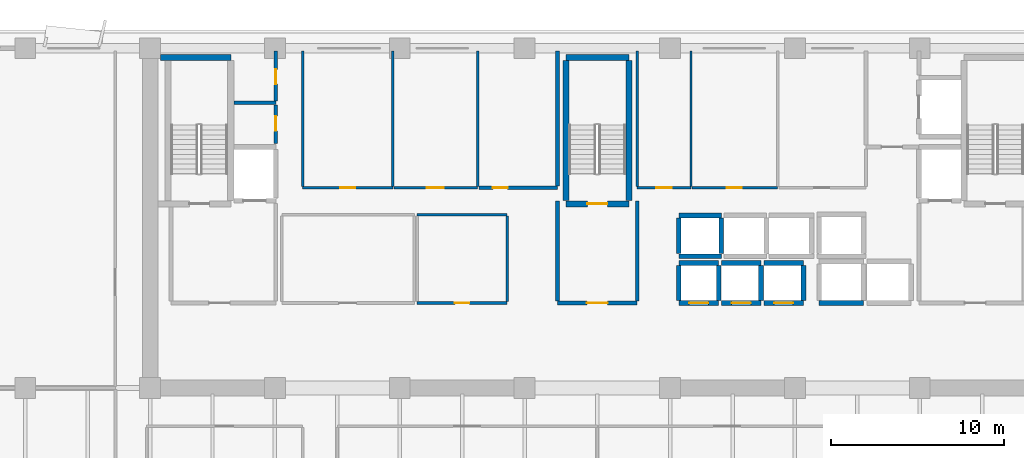
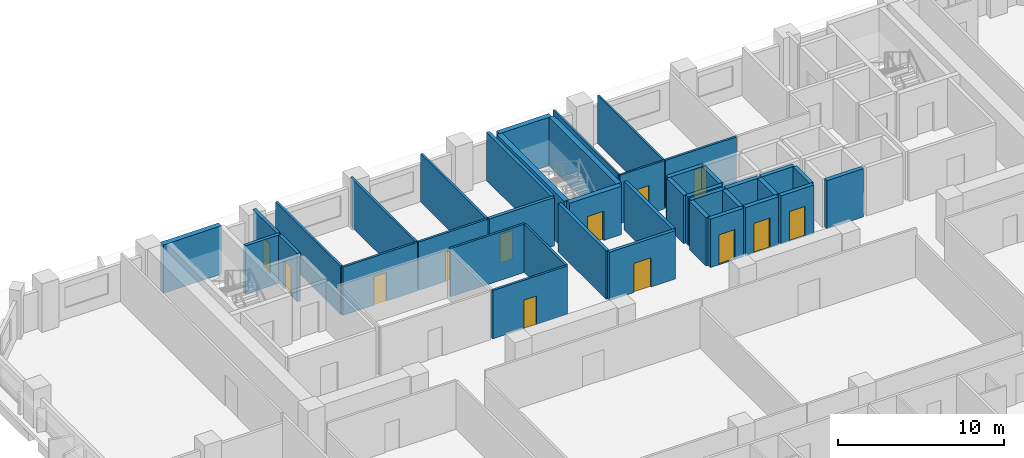
# One storey, part 7 of 15: 40 walls, 13 doors, 13 openings.
"""IFC4 building model written with IfcOpenShell, lengths in metres."""

from ifc_helpers import new_model, si_unit, direction, frame, frame_2d, origin, place, context, subcontext, project, spatial, rectangle, extrude, material, layer, layer_set, type_object, element, fill, save


model = new_model("IFC4")

# Units and contexts
model_context = context("Model", 3, precision=1e-05, world=origin(), true_north=direction((0.0, 1.0)))
body_context = subcontext(model_context, "Body", "Model", "MODEL_VIEW")
ifc_project = project(units=[si_unit("LENGTHUNIT", "METRE"), si_unit("AREAUNIT", "SQUARE_METRE"), si_unit("VOLUMEUNIT", "CUBIC_METRE"), si_unit("PLANEANGLEUNIT", "RADIAN"), si_unit("MASSUNIT", "GRAM", prefix="KILO")], contexts=[model_context])

# Site, building, storey
site_placement = place(None, origin())
site = spatial("IfcSite", under=ifc_project, at=site_placement, CompositionType="ELEMENT")
building_placement = place(site_placement, origin())
building = spatial("IfcBuilding", under=site, at=building_placement, Name="Kaelvorn Grand Hotel", CompositionType="ELEMENT")
storey_placement = place(building_placement, frame((0.0, 0.0, 158.14990234375)))
storey = spatial("IfcBuildingStorey", under=building, at=storey_placement, Name="L38", CompositionType="ELEMENT", Elevation=158.14990234375)

# Wall, opening, door
ifc_material_1 = material(Name="Moisture-Resistant Tile & Stud Board")
ifc_layer_1 = layer(ifc_material_1, 0.125)
ifc_layer_set_1 = layer_set([ifc_layer_1], Name="Moisture-Resistant Tile & Stud Board")
wall_type_1 = type_object("IfcWallType", Name="WL-PART-125-WET", PredefinedType="PARTITIONING", material=ifc_layer_set_1)
wall_1_placement = place(storey_placement, frame((44.300048828125, 40.949951171875, 0.0), z_axis=(0.0, 0.0, 1.0), x_axis=(1.0, 0.0, 0.0)))
wall_1 = element("IfcWall", 1, at=wall_1_placement, inside=storey, type_object=wall_type_1, Name="L38 Accessible WC S Partition", PredefinedType="PARTITIONING", context=body_context, shape_type="SweptSolid", body=[
    extrude(rectangle(XDim=3.099853515625, YDim=0.125, at=frame_2d((1.5498046875, 0.0))), origin(), (0.0, 0.0, 1.0), 3.56005859375),
])
opening_1_placement = place(wall_1_placement, frame((1.10009765625, 0.0, 0.0)))
opening_1 = element("IfcOpeningElement", 2, at=opening_1_placement, cuts=wall_1, Name="Opening DI4", PredefinedType="OPENING", context=body_context, shape_type="SweptSolid", body=[
    extrude(rectangle(XDim=0.89990234375, YDim=2.10009765625, at=frame_2d((0.449951171875, 1.050048828125))), frame((0.0, 0.072509765625, 0.0), z_axis=(0.0, -1.0, 0.0), x_axis=(1.0, 0.0, 0.0)), (0.0, 0.0, 1.0), 0.14501953125),
])
ifc_material_2 = material(Name="Timber Veneer Leaf", Category="wood")
door_type_1 = type_object("IfcDoorType", Name="DR-INT-BATH-900x2100", OperationType="NOTDEFINED", PredefinedType="DOOR", material=ifc_material_2)
door_1_placement = place(opening_1_placement, origin())
door_1 = element("IfcDoor", 3, at=door_1_placement, inside=storey, type_object=door_type_1, Name="L38 Accessible WC Door", OperationType="SINGLE_SWING_LEFT", OverallHeight=2.10009765625, OverallWidth=0.89990234375, PredefinedType="DOOR", context=body_context, shape_type="SweptSolid", body=[
    extrude(rectangle(XDim=0.89990234375, YDim=2.10009765625, at=frame_2d((0.449951171875, 1.050048828125))), frame((0.0, 0.02490234375, 0.0), z_axis=(0.0, -1.0, 0.0), x_axis=(1.0, 0.0, 0.0)), (0.0, 0.0, 1.0), 0.050048828125),
])
fill(opening_1, door_1)

# Walls
for number, where, z_axis, x_axis, name in (
    (4, (44.300048828125, 41.017578125, 0.0), (0.0, 0.0, 1.0), (0.0, 1.0, 0.0), "L38 Accessible WC W Partition"),
    (5, (47.39990234375, 41.017578125, 0.0), (0.0, 0.0, 1.0), (0.0, 1.0, 0.0), "L38 Accessible WC E Partition"),
):
    element("IfcWall", number, at=place(storey_placement, frame(where, z_axis=z_axis, x_axis=x_axis)), inside=storey, type_object=wall_type_1, Name=name, PredefinedType="PARTITIONING", context=body_context, shape_type="SweptSolid", body=[
        extrude(rectangle(XDim=7.83251953125, YDim=0.125, at=frame_2d((3.916259765625, 0.0))), origin(), (0.0, 0.0, 1.0), 3.56005859375),
    ])

# Wall, opening, door
ifc_material_3 = material(Name="Acoustic Gypsum & Stud Partition")
ifc_layer_2 = layer(ifc_material_3, 0.14990234375)
ifc_layer_set_2 = layer_set([ifc_layer_2], Name="Acoustic Gypsum & Stud Partition")
wall_type_2 = type_object("IfcWallType", Name="WL-PART-150-EI60", PredefinedType="PARTITIONING", material=ifc_layer_set_2)
wall_2_placement = place(storey_placement, frame((31.60009765625, 34.300048828125, 0.0), z_axis=(0.0, 0.0, 1.0), x_axis=(1.0, 0.0, 0.0)))
wall_2 = element("IfcWall", 6, at=wall_2_placement, inside=storey, type_object=wall_type_2, Name="L38 Core Telecoms & BMS Server Room S Partition", PredefinedType="PARTITIONING", context=body_context, shape_type="SweptSolid", body=[
    extrude(rectangle(XDim=5.199951171875, YDim=0.14990234375, at=frame_2d((2.60009765625, 0.0))), origin(), (0.0, 0.0, 1.0), 3.56005859375),
])
opening_2_placement = place(wall_2_placement, frame((2.175048828125, 0.0, 0.0)))
opening_2 = element("IfcOpeningElement", 7, at=opening_2_placement, cuts=wall_2, Name="Opening DI7", PredefinedType="OPENING", context=body_context, shape_type="SweptSolid", body=[
    extrude(rectangle(XDim=0.85009765625, YDim=2.10009765625, at=frame_2d((0.425048828125, 1.050048828125))), frame((0.0, 0.0849609375, 0.0), z_axis=(0.0, -1.0, 0.0), x_axis=(1.0, 0.0, 0.0)), (0.0, 0.0, 1.0), 0.169921875),
])
ifc_material_4 = material(Name="Powder-Coated Steel Leaf", Category="steel")
door_type_2 = type_object("IfcDoorType", Name="DR-INT-RISER-850x2100", OperationType="NOTDEFINED", PredefinedType="DOOR", material=ifc_material_4)
door_2_placement = place(opening_2_placement, origin())
door_2 = element("IfcDoor", 8, at=door_2_placement, inside=storey, type_object=door_type_2, Name="L38 Core Telecoms & BMS Server Room Door", OperationType="SINGLE_SWING_RIGHT", OverallHeight=2.10009765625, OverallWidth=0.85009765625, PredefinedType="DOOR", context=body_context, shape_type="SweptSolid", body=[
    extrude(rectangle(XDim=0.85009765625, YDim=2.10009765625, at=frame_2d((0.425048828125, 1.050048828125))), frame((0.0, 0.02490234375, 0.0), z_axis=(0.0, -1.0, 0.0), x_axis=(1.0, 0.0, 0.0)), (0.0, 0.0, 1.0), 0.050048828125),
])
fill(opening_2, door_2)

# Walls
wall_3_placement = place(storey_placement, frame((31.60009765625, 39.39990234375, 0.0), z_axis=(0.0, 0.0, 1.0), x_axis=(1.0, 0.0, 0.0)))
element("IfcWall", 9, at=wall_3_placement, inside=storey, type_object=wall_type_2, Name="L38 Core Telecoms & BMS Server Room N Partition", PredefinedType="PARTITIONING", context=body_context, shape_type="SweptSolid", body=[
    extrude(rectangle(XDim=5.199951171875, YDim=0.14990234375, at=frame_2d((2.60009765625, 0.0))), origin(), (0.0, 0.0, 1.0), 3.56005859375),
])
wall_4_placement = place(storey_placement, frame((36.800048828125, 34.3798828125, 0.0), z_axis=(0.0, 0.0, 1.0), x_axis=(0.0, 1.0, 0.0)))
element("IfcWall", 10, at=wall_4_placement, inside=storey, type_object=wall_type_2, Name="L38 Core Telecoms & BMS Server Room E Partition", PredefinedType="PARTITIONING", context=body_context, shape_type="SweptSolid", body=[
    extrude(rectangle(XDim=4.940185546875, YDim=0.14990234375, at=frame_2d((2.47021484375, 0.0))), origin(), (0.0, 0.0, 1.0), 3.56005859375),
])

# Wall, opening, door
wall_5_placement = place(storey_placement, frame((25.0, 40.949951171875, 0.0), z_axis=(0.0, 0.0, 1.0), x_axis=(1.0, 0.0, 0.0)))
wall_5 = element("IfcWall", 11, at=wall_5_placement, inside=storey, type_object=wall_type_2, Name="L38 Housekeeping & Linen Room S Partition", PredefinedType="PARTITIONING", context=body_context, shape_type="SweptSolid", body=[
    extrude(rectangle(XDim=5.199951171875, YDim=0.14990234375, at=frame_2d((2.60009765625, 0.0))), origin(), (0.0, 0.0, 1.0), 3.56005859375),
])
opening_3_placement = place(wall_5_placement, frame((2.175048828125, 0.0, 0.0)))
opening_3 = element("IfcOpeningElement", 12, at=opening_3_placement, cuts=wall_5, Name="Opening DI7", PredefinedType="OPENING", context=body_context, shape_type="SweptSolid", body=[
    extrude(rectangle(XDim=0.85009765625, YDim=2.10009765625, at=frame_2d((0.425048828125, 1.050048828125))), frame((0.0, 0.0849609375, 0.0), z_axis=(0.0, -1.0, 0.0), x_axis=(1.0, 0.0, 0.0)), (0.0, 0.0, 1.0), 0.169921875),
])
door_3_placement = place(opening_3_placement, origin())
door_3 = element("IfcDoor", 13, at=door_3_placement, inside=storey, type_object=door_type_2, Name="L38 Housekeeping & Linen Room Door", OperationType="SINGLE_SWING_RIGHT", OverallHeight=2.10009765625, OverallWidth=0.85009765625, PredefinedType="DOOR", context=body_context, shape_type="SweptSolid", body=[
    extrude(rectangle(XDim=0.85009765625, YDim=2.10009765625, at=frame_2d((0.425048828125, 1.050048828125))), frame((0.0, 0.02490234375, 0.0), z_axis=(0.0, -1.0, 0.0), x_axis=(1.0, 0.0, 0.0)), (0.0, 0.0, 1.0), 0.050048828125),
])
fill(opening_3, door_3)

# Walls
for number, where, z_axis, x_axis, name in (
    (14, (25.0, 41.030029296875, 0.0), (0.0, 0.0, 1.0), (0.0, 1.0, 0.0), "L38 Housekeeping & Linen Room W Partition"),
    (15, (30.199951171875, 41.030029296875, 0.0), (0.0, 0.0, 1.0), (0.0, 1.0, 0.0), "L38 Housekeeping & Linen Room E Partition"),
):
    element("IfcWall", number, at=place(storey_placement, frame(where, z_axis=z_axis, x_axis=x_axis)), inside=storey, type_object=wall_type_2, Name=name, PredefinedType="PARTITIONING", context=body_context, shape_type="SweptSolid", body=[
        extrude(rectangle(XDim=7.820068359375, YDim=0.14990234375, at=frame_2d((3.91015625, 0.0))), origin(), (0.0, 0.0, 1.0), 3.56005859375),
    ])

# Wall, opening, door
wall_6_placement = place(storey_placement, frame((30.280029296875, 40.949951171875, 0.0), z_axis=(0.0, 0.0, 1.0), x_axis=(1.0, 0.0, 0.0)))
wall_6 = element("IfcWall", 16, at=wall_6_placement, inside=storey, type_object=wall_type_2, Name="L38 Room Service Servery Pantry S Partition", PredefinedType="PARTITIONING", context=body_context, shape_type="SweptSolid", body=[
    extrude(rectangle(XDim=4.820068359375, YDim=0.14990234375, at=frame_2d((2.41015625, 0.0))), origin(), (0.0, 0.0, 1.0), 3.56005859375),
])
opening_4_placement = place(wall_6_placement, frame((1.8701171875, 0.0, 0.0)))
opening_4 = element("IfcOpeningElement", 17, at=opening_4_placement, cuts=wall_6, Name="Opening DI3", PredefinedType="OPENING", context=body_context, shape_type="SweptSolid", body=[
    extrude(rectangle(XDim=1.0, YDim=2.14990234375, at=frame_2d((0.5, 1.074951171875))), frame((0.0, 0.0849609375, 0.0), z_axis=(0.0, -1.0, 0.0), x_axis=(1.0, 0.0, 0.0)), (0.0, 0.0, 1.0), 0.169921875),
])
ifc_material_5 = material(Name="Timber Veneer Fire Leaf", Category="wood")
door_type_3 = type_object("IfcDoorType", Name="DR-INT-GUEST-1000x2150", OperationType="NOTDEFINED", PredefinedType="DOOR", material=ifc_material_5)
door_4_placement = place(opening_4_placement, origin())
door_4 = element("IfcDoor", 18, at=door_4_placement, inside=storey, type_object=door_type_3, Name="L38 Room Service Servery Pantry Door", OperationType="SINGLE_SWING_LEFT", OverallHeight=2.14990234375, OverallWidth=1.0, PredefinedType="DOOR", context=body_context, shape_type="SweptSolid", body=[
    extrude(rectangle(XDim=1.0, YDim=2.14990234375, at=frame_2d((0.5, 1.074951171875))), frame((0.0, 0.02490234375, 0.0), z_axis=(0.0, -1.0, 0.0), x_axis=(1.0, 0.0, 0.0)), (0.0, 0.0, 1.0), 0.050048828125),
])
fill(opening_4, door_4)

# Wall
wall_7_placement = place(storey_placement, frame((35.10009765625, 41.030029296875, 0.0), z_axis=(0.0, 0.0, 1.0), x_axis=(0.0, 1.0, 0.0)))
element("IfcWall", 19, at=wall_7_placement, inside=storey, type_object=wall_type_2, Name="L38 Room Service Servery Pantry E Partition", PredefinedType="PARTITIONING", context=body_context, shape_type="SweptSolid", body=[
    extrude(rectangle(XDim=7.820068359375, YDim=0.14990234375, at=frame_2d((3.91015625, 0.0))), origin(), (0.0, 0.0, 1.0), 3.56005859375),
])

# Wall, opening, door
wall_8_placement = place(storey_placement, frame((47.467529296875, 40.949951171875, 0.0), z_axis=(0.0, 0.0, 1.0), x_axis=(1.0, 0.0, 0.0)))
wall_8 = element("IfcWall", 20, at=wall_8_placement, inside=storey, type_object=wall_type_2, Name="L38 Valet & Luggage Store S Partition", PredefinedType="PARTITIONING", context=body_context, shape_type="SweptSolid", body=[
    extrude(rectangle(XDim=4.932373046875, YDim=0.14990234375, at=frame_2d((2.46630859375, 0.0))), origin(), (0.0, 0.0, 1.0), 3.56005859375),
])
opening_5_placement = place(wall_8_placement, frame((2.007568359375, 0.0, 0.0)))
opening_5 = element("IfcOpeningElement", 21, at=opening_5_placement, cuts=wall_8, Name="Opening DI7", PredefinedType="OPENING", context=body_context, shape_type="SweptSolid", body=[
    extrude(rectangle(XDim=0.85009765625, YDim=2.10009765625, at=frame_2d((0.425048828125, 1.050048828125))), frame((0.0, 0.0849609375, 0.0), z_axis=(0.0, -1.0, 0.0), x_axis=(1.0, 0.0, 0.0)), (0.0, 0.0, 1.0), 0.169921875),
])
door_5_placement = place(opening_5_placement, origin())
door_5 = element("IfcDoor", 22, at=door_5_placement, inside=storey, type_object=door_type_2, Name="L38 Valet & Luggage Store Door", OperationType="SINGLE_SWING_RIGHT", OverallHeight=2.10009765625, OverallWidth=0.85009765625, PredefinedType="DOOR", context=body_context, shape_type="SweptSolid", body=[
    extrude(rectangle(XDim=0.85009765625, YDim=2.10009765625, at=frame_2d((0.425048828125, 1.050048828125))), frame((0.0, 0.02490234375, 0.0), z_axis=(0.0, -1.0, 0.0), x_axis=(1.0, 0.0, 0.0)), (0.0, 0.0, 1.0), 0.050048828125),
])
fill(opening_5, door_5)

ifc_material_6 = material(Name="Concrete C40/50", Category="concrete")
ifc_layer_3 = layer(ifc_material_6, 0.219970703125)
ifc_layer_set_3 = layer_set([ifc_layer_3], Name="Concrete C40/50")
wall_type_3 = type_object("IfcWallType", Name="WL-PART-220-EI120", PredefinedType="PARTITIONING", material=ifc_layer_set_3)
wall_9_placement = place(storey_placement, frame((39.699951171875, 34.300048828125, 0.0), z_axis=(0.0, 0.0, 1.0), x_axis=(1.0, 0.0, 0.0)))
wall_9 = element("IfcWall", 23, at=wall_9_placement, inside=storey, type_object=wall_type_3, Name="L38 Central Stair Escape Vestibule S Partition", PredefinedType="PARTITIONING", context=body_context, shape_type="SweptSolid", body=[
    extrude(rectangle(XDim=4.60009765625, YDim=0.219970703125, at=frame_2d((2.300048828125, 0.0))), origin(), (0.0, 0.0, 1.0), 3.56005859375),
])
opening_6_placement = place(wall_9_placement, frame((1.699951171875, 0.0, 0.0)))
opening_6 = element("IfcOpeningElement", 24, at=opening_6_placement, cuts=wall_9, Name="Opening DI2", PredefinedType="OPENING", context=body_context, shape_type="SweptSolid", body=[
    extrude(rectangle(XDim=1.199951171875, YDim=2.14990234375, at=frame_2d((0.60009765625, 1.074951171875))), frame((0.0, 0.1201171875, 0.0), z_axis=(0.0, -1.0, 0.0), x_axis=(1.0, 0.0, 0.0)), (0.0, 0.0, 1.0), 0.239990234375),
])
door_type_4 = type_object("IfcDoorType", Name="DR-INT-FFLOB-1200x2150", OperationType="NOTDEFINED", PredefinedType="DOOR", material=ifc_material_5)
door_6_placement = place(opening_6_placement, origin())
door_6 = element("IfcDoor", 25, at=door_6_placement, inside=storey, type_object=door_type_4, Name="L38 Central Stair Escape Vestibule Door", OperationType="SINGLE_SWING_RIGHT", OverallHeight=2.14990234375, OverallWidth=1.199951171875, PredefinedType="DOOR", context=body_context, shape_type="SweptSolid", body=[
    extrude(rectangle(XDim=1.199951171875, YDim=2.14990234375, at=frame_2d((0.60009765625, 1.074951171875))), frame((0.0, 0.02490234375, 0.0), z_axis=(0.0, -1.0, 0.0), x_axis=(1.0, 0.0, 0.0)), (0.0, 0.0, 1.0), 0.050048828125),
])
fill(opening_6, door_6)

# Walls
for number, where, z_axis, x_axis, name in (
    (26, (39.699951171875, 34.4150390625, 0.0), (0.0, 0.0, 1.0), (0.0, 1.0, 0.0), "L38 Central Stair Escape Vestibule W Partition"),
    (27, (44.300048828125, 34.4150390625, 0.0), (0.0, 0.0, 1.0), (0.0, 1.0, 0.0), "L38 Central Stair Escape Vestibule E Partition"),
):
    element("IfcWall", number, at=place(storey_placement, frame(where, z_axis=z_axis, x_axis=x_axis)), inside=storey, type_object=wall_type_3, Name=name, PredefinedType="PARTITIONING", context=body_context, shape_type="SweptSolid", body=[
        extrude(rectangle(XDim=5.784912109375, YDim=0.219970703125, at=frame_2d((2.892578125, 0.0))), origin(), (0.0, 0.0, 1.0), 3.56005859375),
    ])
wall_10_placement = place(storey_placement, frame((21.034912109375, 45.85009765625, 0.0), z_axis=(0.0, 0.0, 1.0), x_axis=(1.0, 0.0, 0.0)))
element("IfcWall", 28, at=wall_10_placement, inside=storey, type_object=wall_type_3, Name="L38 Wet Fire & Plumbing Riser Shaft N Partition", PredefinedType="PARTITIONING", context=body_context, shape_type="SweptSolid", body=[
    extrude(rectangle(XDim=2.4150390625, YDim=0.219970703125, at=frame_2d((1.20751953125, 0.0))), origin(), (0.0, 0.0, 1.0), 3.56005859375),
])

# Wall, opening, door
wall_11_placement = place(storey_placement, frame((23.449951171875, 43.5, 0.0), z_axis=(0.0, 0.0, 1.0), x_axis=(0.0, 1.0, 0.0)))
wall_11 = element("IfcWall", 29, at=wall_11_placement, inside=storey, type_object=wall_type_3, Name="L38 Wet Fire & Plumbing Riser Shaft E Partition", PredefinedType="PARTITIONING", context=body_context, shape_type="SweptSolid", body=[
    extrude(rectangle(XDim=2.235107421875, YDim=0.219970703125, at=frame_2d((1.11767578125, 0.0))), origin(), (0.0, 0.0, 1.0), 3.56005859375),
])
opening_7_placement = place(wall_11_placement, frame((0.72509765625, 0.0, 0.0)))
opening_7 = element("IfcOpeningElement", 30, at=opening_7_placement, cuts=wall_11, Name="Opening DI7", PredefinedType="OPENING", context=body_context, shape_type="SweptSolid", body=[
    extrude(rectangle(XDim=0.85009765625, YDim=2.10009765625, at=frame_2d((0.425048828125, 1.050048828125))), frame((0.0, 0.1201171875, 0.0), z_axis=(0.0, -1.0, 0.0), x_axis=(1.0, 0.0, 0.0)), (0.0, 0.0, 1.0), 0.239990234375),
])
door_7_placement = place(opening_7_placement, origin())
door_7 = element("IfcDoor", 31, at=door_7_placement, inside=storey, type_object=door_type_2, Name="L38 Wet Fire & Plumbing Riser Shaft Door", OperationType="SINGLE_SWING_RIGHT", OverallHeight=2.10009765625, OverallWidth=0.85009765625, PredefinedType="DOOR", context=body_context, shape_type="SweptSolid", body=[
    extrude(rectangle(XDim=0.85009765625, YDim=2.10009765625, at=frame_2d((0.425048828125, 1.050048828125))), frame((0.0, 0.02490234375, 0.0), z_axis=(0.0, -1.0, 0.0), x_axis=(1.0, 0.0, 0.0)), (0.0, 0.0, 1.0), 0.050048828125),
])
fill(opening_7, door_7)

wall_12_placement = place(storey_placement, frame((23.449951171875, 45.965087890625, 0.0), z_axis=(0.0, 0.0, 1.0), x_axis=(0.0, 1.0, 0.0)))
wall_12 = element("IfcWall", 32, at=wall_12_placement, inside=storey, type_object=wall_type_3, Name="L38 HV Electrical & Smoke Riser E Partition", PredefinedType="PARTITIONING", context=body_context, shape_type="SweptSolid", body=[
    extrude(rectangle(XDim=2.885009765625, YDim=0.219970703125, at=frame_2d((1.4423828125, 0.0))), origin(), (0.0, 0.0, 1.0), 3.56005859375),
])
opening_8_placement = place(wall_12_placement, frame((0.9599609375, 0.0, 0.0)))
opening_8 = element("IfcOpeningElement", 33, at=opening_8_placement, cuts=wall_12, Name="Opening DI7", PredefinedType="OPENING", context=body_context, shape_type="SweptSolid", body=[
    extrude(rectangle(XDim=0.85009765625, YDim=2.10009765625, at=frame_2d((0.425048828125, 1.050048828125))), frame((0.0, 0.1201171875, 0.0), z_axis=(0.0, -1.0, 0.0), x_axis=(1.0, 0.0, 0.0)), (0.0, 0.0, 1.0), 0.239990234375),
])
door_8_placement = place(opening_8_placement, origin())
door_8 = element("IfcDoor", 34, at=door_8_placement, inside=storey, type_object=door_type_2, Name="L38 HV Electrical & Smoke Riser Door", OperationType="SINGLE_SWING_LEFT", OverallHeight=2.10009765625, OverallWidth=0.85009765625, PredefinedType="DOOR", context=body_context, shape_type="SweptSolid", body=[
    extrude(rectangle(XDim=0.85009765625, YDim=2.10009765625, at=frame_2d((0.425048828125, 1.050048828125))), frame((0.0, 0.02490234375, 0.0), z_axis=(0.0, -1.0, 0.0), x_axis=(1.0, 0.0, 0.0)), (0.0, 0.0, 1.0), 0.050048828125),
])
fill(opening_8, door_8)

wall_13_placement = place(storey_placement, frame((35.179931640625, 40.949951171875, 0.0), z_axis=(0.0, 0.0, 1.0), x_axis=(1.0, 0.0, 0.0)))
wall_13 = element("IfcWall", 35, at=wall_13_placement, inside=storey, type_object=wall_type_3, Name="L38 Floor Electrical Switchroom S Partition", PredefinedType="PARTITIONING", context=body_context, shape_type="SweptSolid", body=[
    extrude(rectangle(XDim=4.52001953125, YDim=0.219970703125, at=frame_2d((2.260009765625, 0.0))), origin(), (0.0, 0.0, 1.0), 3.56005859375),
])
opening_9_placement = place(wall_13_placement, frame((0.794921875, 0.0, 0.0)))
opening_9 = element("IfcOpeningElement", 36, at=opening_9_placement, cuts=wall_13, Name="Opening DI7", PredefinedType="OPENING", context=body_context, shape_type="SweptSolid", body=[
    extrude(rectangle(XDim=0.85009765625, YDim=2.10009765625, at=frame_2d((0.425048828125, 1.050048828125))), frame((0.0, 0.1201171875, 0.0), z_axis=(0.0, -1.0, 0.0), x_axis=(1.0, 0.0, 0.0)), (0.0, 0.0, 1.0), 0.239990234375),
])
door_9_placement = place(opening_9_placement, origin())
door_9 = element("IfcDoor", 37, at=door_9_placement, inside=storey, type_object=door_type_2, Name="L38 Floor Electrical Switchroom Door", OperationType="SINGLE_SWING_RIGHT", OverallHeight=2.10009765625, OverallWidth=0.85009765625, PredefinedType="DOOR", context=body_context, shape_type="SweptSolid", body=[
    extrude(rectangle(XDim=0.85009765625, YDim=2.10009765625, at=frame_2d((0.425048828125, 1.050048828125))), frame((0.0, 0.02490234375, 0.0), z_axis=(0.0, -1.0, 0.0), x_axis=(1.0, 0.0, 0.0)), (0.0, 0.0, 1.0), 0.050048828125),
])
fill(opening_9, door_9)

# Wall
wall_14_placement = place(storey_placement, frame((39.699951171875, 41.06494140625, 0.0), z_axis=(0.0, 0.0, 1.0), x_axis=(0.0, 1.0, 0.0)))
element("IfcWall", 38, at=wall_14_placement, inside=storey, type_object=wall_type_3, Name="L38 Floor Electrical Switchroom E Partition", PredefinedType="PARTITIONING", context=body_context, shape_type="SweptSolid", body=[
    extrude(rectangle(XDim=7.78515625, YDim=0.219970703125, at=frame_2d((3.892578125, 0.0))), origin(), (0.0, 0.0, 1.0), 3.56005859375),
])

# Wall, opening, door
ifc_material_7 = material(Name="Concrete C50/60", Category="concrete")
ifc_layer_4 = layer(ifc_material_7, 0.280029296875)
ifc_layer_set_4 = layer_set([ifc_layer_4], Name="Concrete C50/60")
wall_type_4 = type_object("IfcWallType", Name="WL-SHAFT-280-C50", PredefinedType="SHEAR", material=ifc_layer_set_4)
wall_15_placement = place(storey_placement, frame((46.699951171875, 34.300048828125, 0.0), z_axis=(0.0, 0.0, 1.0), x_axis=(1.0, 0.0, 0.0)))
wall_15 = element("IfcWall", 39, at=wall_15_placement, inside=storey, type_object=wall_type_4, Name="L38 Lift PL-M1 Shaft South Wall", PredefinedType="SHEAR", context=body_context, shape_type="SweptSolid", body=[
    extrude(rectangle(XDim=2.300048828125, YDim=0.280029296875, at=frame_2d((1.14990234375, 0.0))), origin(), (0.0, 0.0, 1.0), 3.56005859375),
])
opening_10_placement = place(wall_15_placement, frame((0.60009765625, 0.0, 0.0)))
opening_10 = element("IfcOpeningElement", 40, at=opening_10_placement, cuts=wall_15, Name="Opening LD-PL-M1", PredefinedType="OPENING", context=body_context, shape_type="SweptSolid", body=[
    extrude(rectangle(XDim=1.10009765625, YDim=2.199951171875, at=frame_2d((0.550048828125, 1.10009765625))), frame((0.0, 0.14990234375, 0.0), z_axis=(0.0, -1.0, 0.0), x_axis=(1.0, 0.0, 0.0)), (0.0, 0.0, 1.0), 0.300048828125),
])
ifc_material_8 = material(Name="Stainless Steel", Category="steel")
door_type_5 = type_object("IfcDoorType", Name="DR-LIFT-PASS-1100x2200", OperationType="DOUBLE_DOOR_SLIDING", PredefinedType="DOOR", material=ifc_material_8)
door_10_placement = place(opening_10_placement, origin())
door_10 = element("IfcDoor", 41, at=door_10_placement, inside=storey, type_object=door_type_5, Name="L38 Lift PL-M1 Sliding Landing Door LD-PL-M1", OperationType="DOUBLE_DOOR_SLIDING", OverallHeight=2.199951171875, OverallWidth=1.10009765625, PredefinedType="DOOR", context=body_context, shape_type="SweptSolid", body=[
    extrude(rectangle(XDim=1.10009765625, YDim=2.199951171875, at=frame_2d((0.550048828125, 1.10009765625))), frame((0.0, 0.02490234375, 0.0), z_axis=(0.0, -1.0, 0.0), x_axis=(1.0, 0.0, 0.0)), (0.0, 0.0, 1.0), 0.050048828125),
])
fill(opening_10, door_10)

# Walls
wall_16_placement = place(storey_placement, frame((46.699951171875, 36.60009765625, 0.0), z_axis=(0.0, 0.0, 1.0), x_axis=(1.0, 0.0, 0.0)))
element("IfcWall", 42, at=wall_16_placement, inside=storey, type_object=wall_type_4, Name="L38 Lift PL-M1 Shaft North Wall", PredefinedType="SHEAR", context=body_context, shape_type="SweptSolid", body=[
    extrude(rectangle(XDim=2.300048828125, YDim=0.280029296875, at=frame_2d((1.14990234375, 0.0))), origin(), (0.0, 0.0, 1.0), 3.56005859375),
])
for number, where, z_axis, x_axis, name in (
    (43, (46.699951171875, 34.445068359375, 0.0), (0.0, 0.0, 1.0), (0.0, 1.0, 0.0), "L38 Lift PL-M1 Shaft West Wall"),
    (44, (49.0, 34.445068359375, 0.0), (0.0, 0.0, 1.0), (0.0, 1.0, 0.0), "L38 Lift PL-M1 Shaft East Wall"),
):
    element("IfcWall", number, at=place(storey_placement, frame(where, z_axis=z_axis, x_axis=x_axis)), inside=storey, type_object=wall_type_4, Name=name, PredefinedType="SHEAR", context=body_context, shape_type="SweptSolid", body=[
        extrude(rectangle(XDim=2.010009765625, YDim=0.280029296875, at=frame_2d((1.0048828125, 0.0))), origin(), (0.0, 0.0, 1.0), 3.56005859375),
    ])

# Wall, opening, door
wall_17_placement = place(storey_placement, frame((49.14990234375, 34.300048828125, 0.0), z_axis=(0.0, 0.0, 1.0), x_axis=(1.0, 0.0, 0.0)))
wall_17 = element("IfcWall", 45, at=wall_17_placement, inside=storey, type_object=wall_type_4, Name="L38 Lift PL-M2 Shaft South Wall", PredefinedType="SHEAR", context=body_context, shape_type="SweptSolid", body=[
    extrude(rectangle(XDim=2.300048828125, YDim=0.280029296875, at=frame_2d((1.14990234375, 0.0))), origin(), (0.0, 0.0, 1.0), 3.56005859375),
])
opening_11_placement = place(wall_17_placement, frame((0.60009765625, 0.0, 0.0)))
opening_11 = element("IfcOpeningElement", 46, at=opening_11_placement, cuts=wall_17, Name="Opening LD-PL-M2", PredefinedType="OPENING", context=body_context, shape_type="SweptSolid", body=[
    extrude(rectangle(XDim=1.10009765625, YDim=2.199951171875, at=frame_2d((0.550048828125, 1.10009765625))), frame((0.0, 0.14990234375, 0.0), z_axis=(0.0, -1.0, 0.0), x_axis=(1.0, 0.0, 0.0)), (0.0, 0.0, 1.0), 0.300048828125),
])
door_11_placement = place(opening_11_placement, origin())
door_11 = element("IfcDoor", 47, at=door_11_placement, inside=storey, type_object=door_type_5, Name="L38 Lift PL-M2 Sliding Landing Door LD-PL-M2", OperationType="DOUBLE_DOOR_SLIDING", OverallHeight=2.199951171875, OverallWidth=1.10009765625, PredefinedType="DOOR", context=body_context, shape_type="SweptSolid", body=[
    extrude(rectangle(XDim=1.10009765625, YDim=2.199951171875, at=frame_2d((0.550048828125, 1.10009765625))), frame((0.0, 0.02490234375, 0.0), z_axis=(0.0, -1.0, 0.0), x_axis=(1.0, 0.0, 0.0)), (0.0, 0.0, 1.0), 0.050048828125),
])
fill(opening_11, door_11)

# Walls
wall_18_placement = place(storey_placement, frame((49.14990234375, 36.60009765625, 0.0), z_axis=(0.0, 0.0, 1.0), x_axis=(1.0, 0.0, 0.0)))
element("IfcWall", 48, at=wall_18_placement, inside=storey, type_object=wall_type_4, Name="L38 Lift PL-M2 Shaft North Wall", PredefinedType="SHEAR", context=body_context, shape_type="SweptSolid", body=[
    extrude(rectangle(XDim=2.300048828125, YDim=0.280029296875, at=frame_2d((1.14990234375, 0.0))), origin(), (0.0, 0.0, 1.0), 3.56005859375),
])
wall_19_placement = place(storey_placement, frame((51.449951171875, 34.445068359375, 0.0), z_axis=(0.0, 0.0, 1.0), x_axis=(0.0, 1.0, 0.0)))
element("IfcWall", 49, at=wall_19_placement, inside=storey, type_object=wall_type_4, Name="L38 Lift PL-M2 Shaft East Wall", PredefinedType="SHEAR", context=body_context, shape_type="SweptSolid", body=[
    extrude(rectangle(XDim=2.010009765625, YDim=0.280029296875, at=frame_2d((1.0048828125, 0.0))), origin(), (0.0, 0.0, 1.0), 3.56005859375),
])

# Wall, opening, door
wall_20_placement = place(storey_placement, frame((51.60009765625, 34.300048828125, 0.0), z_axis=(0.0, 0.0, 1.0), x_axis=(1.0, 0.0, 0.0)))
wall_20 = element("IfcWall", 50, at=wall_20_placement, inside=storey, type_object=wall_type_4, Name="L38 Lift PL-M3 Shaft South Wall", PredefinedType="SHEAR", context=body_context, shape_type="SweptSolid", body=[
    extrude(rectangle(XDim=2.2998046875, YDim=0.280029296875, at=frame_2d((1.14990234375, 0.0))), origin(), (0.0, 0.0, 1.0), 3.56005859375),
])
opening_12_placement = place(wall_20_placement, frame((0.60009765625, 0.0, 0.0)))
opening_12 = element("IfcOpeningElement", 51, at=opening_12_placement, cuts=wall_20, Name="Opening LD-PL-M3", PredefinedType="OPENING", context=body_context, shape_type="SweptSolid", body=[
    extrude(rectangle(XDim=1.10009765625, YDim=2.199951171875, at=frame_2d((0.550048828125, 1.10009765625))), frame((0.0, 0.14990234375, 0.0), z_axis=(0.0, -1.0, 0.0), x_axis=(1.0, 0.0, 0.0)), (0.0, 0.0, 1.0), 0.300048828125),
])
door_12_placement = place(opening_12_placement, origin())
door_12 = element("IfcDoor", 52, at=door_12_placement, inside=storey, type_object=door_type_5, Name="L38 Lift PL-M3 Sliding Landing Door LD-PL-M3", OperationType="DOUBLE_DOOR_SLIDING", OverallHeight=2.199951171875, OverallWidth=1.10009765625, PredefinedType="DOOR", context=body_context, shape_type="SweptSolid", body=[
    extrude(rectangle(XDim=1.10009765625, YDim=2.199951171875, at=frame_2d((0.550048828125, 1.10009765625))), frame((0.0, 0.02490234375, 0.0), z_axis=(0.0, -1.0, 0.0), x_axis=(1.0, 0.0, 0.0)), (0.0, 0.0, 1.0), 0.050048828125),
])
fill(opening_12, door_12)

# Walls
wall_21_placement = place(storey_placement, frame((51.60009765625, 36.60009765625, 0.0), z_axis=(0.0, 0.0, 1.0), x_axis=(1.0, 0.0, 0.0)))
element("IfcWall", 53, at=wall_21_placement, inside=storey, type_object=wall_type_4, Name="L38 Lift PL-M3 Shaft North Wall", PredefinedType="SHEAR", context=body_context, shape_type="SweptSolid", body=[
    extrude(rectangle(XDim=2.2998046875, YDim=0.280029296875, at=frame_2d((1.14990234375, 0.0))), origin(), (0.0, 0.0, 1.0), 3.56005859375),
])
wall_22_placement = place(storey_placement, frame((53.89990234375, 34.445068359375, 0.0), z_axis=(0.0, 0.0, 1.0), x_axis=(0.0, 1.0, 0.0)))
element("IfcWall", 54, at=wall_22_placement, inside=storey, type_object=wall_type_4, Name="L38 Lift PL-M3 Shaft East Wall", PredefinedType="SHEAR", context=body_context, shape_type="SweptSolid", body=[
    extrude(rectangle(XDim=2.010009765625, YDim=0.280029296875, at=frame_2d((1.0048828125, 0.0))), origin(), (0.0, 0.0, 1.0), 3.56005859375),
])
for number, where, z_axis, x_axis, name in (
    (55, (46.699951171875, 37.0, 0.0), (0.0, 0.0, 1.0), (1.0, 0.0, 0.0), "L38 Lift SL-1 Shaft South Wall"),
    (56, (46.699951171875, 39.35009765625, 0.0), (0.0, 0.0, 1.0), (1.0, 0.0, 0.0), "L38 Lift SL-1 Shaft North Wall"),
):
    element("IfcWall", number, at=place(storey_placement, frame(where, z_axis=z_axis, x_axis=x_axis)), inside=storey, type_object=wall_type_4, Name=name, PredefinedType="SHEAR", context=body_context, shape_type="SweptSolid", body=[
        extrude(rectangle(XDim=2.449951171875, YDim=0.280029296875, at=frame_2d((1.22509765625, 0.0))), origin(), (0.0, 0.0, 1.0), 3.56005859375),
    ])
for number, where, z_axis, x_axis, name in (
    (57, (46.699951171875, 37.14501953125, 0.0), (0.0, 0.0, 1.0), (0.0, 1.0, 0.0), "L38 Lift SL-1 Shaft West Wall"),
    (58, (49.14990234375, 37.14501953125, 0.0), (0.0, 0.0, 1.0), (0.0, 1.0, 0.0), "L38 Lift SL-1 Shaft East Wall"),
):
    element("IfcWall", number, at=place(storey_placement, frame(where, z_axis=z_axis, x_axis=x_axis)), inside=storey, type_object=wall_type_4, Name=name, PredefinedType="SHEAR", context=body_context, shape_type="SweptSolid", body=[
        extrude(rectangle(XDim=2.06005859375, YDim=0.280029296875, at=frame_2d((1.030029296875, 0.0))), origin(), (0.0, 0.0, 1.0), 3.56005859375),
    ])
wall_23_placement = place(storey_placement, frame((54.800048828125, 34.300048828125, 0.0), z_axis=(0.0, 0.0, 1.0), x_axis=(1.0, 0.0, 0.0)))
element("IfcWall", 59, at=wall_23_placement, inside=storey, type_object=wall_type_4, Name="L38 Lift OL-1 Shaft South Wall", PredefinedType="SHEAR", context=body_context, shape_type="SweptSolid", body=[
    extrude(rectangle(XDim=2.550048828125, YDim=0.280029296875, at=frame_2d((1.27490234375, 0.0))), origin(), (0.0, 0.0, 1.0), 3.56005859375),
])
ifc_material_9 = material(Name="Concrete C60/75", Category="concrete")
ifc_layer_5 = layer(ifc_material_9, 0.35009765625)
ifc_layer_set_5 = layer_set([ifc_layer_5], Name="Concrete C60/75")
wall_type_5 = type_object("IfcWallType", Name="WL-SHAFT-350-C60", PredefinedType="SHEAR", material=ifc_layer_set_5)
wall_24_placement = place(storey_placement, frame((16.804931640625, 48.47509765625, 0.0), z_axis=(0.0, 0.0, 1.0), x_axis=(1.0, 0.0, 0.0)))
element("IfcWall", 60, at=wall_24_placement, inside=storey, type_object=wall_type_5, Name="L38 ST1 Stair Shaft North Wall", PredefinedType="SHEAR", context=body_context, shape_type="SweptSolid", body=[
    extrude(rectangle(XDim=4.050048828125, YDim=0.35009765625, at=frame_2d((2.02490234375, 0.0))), origin(), (0.0, 0.0, 1.0), 3.56005859375),
])

# Wall, opening, door
wall_25_placement = place(storey_placement, frame((40.18505859375, 40.02490234375, 0.0), z_axis=(0.0, 0.0, 1.0), x_axis=(1.0, 0.0, 0.0)))
wall_25 = element("IfcWall", 61, at=wall_25_placement, inside=storey, type_object=wall_type_5, Name="L38 ST2 Stair Shaft South Wall", PredefinedType="SHEAR", context=body_context, shape_type="SweptSolid", body=[
    extrude(rectangle(XDim=3.6298828125, YDim=0.35009765625, at=frame_2d((1.81494140625, 0.0))), origin(), (0.0, 0.0, 1.0), 3.56005859375),
])
opening_13_placement = place(wall_25_placement, frame((1.239990234375, 0.0, 0.0)))
opening_13 = element("IfcOpeningElement", 62, at=opening_13_placement, cuts=wall_25, Name="Opening DI1", PredefinedType="OPENING", context=body_context, shape_type="SweptSolid", body=[
    extrude(rectangle(XDim=1.14990234375, YDim=2.14990234375, at=frame_2d((0.574951171875, 1.074951171875))), frame((0.0, 0.18505859375, 0.0), z_axis=(0.0, -1.0, 0.0), x_axis=(1.0, 0.0, 0.0)), (0.0, 0.0, 1.0), 0.3701171875),
])
door_type_6 = type_object("IfcDoorType", Name="DR-INT-STAIR-1150x2150", OperationType="NOTDEFINED", PredefinedType="DOOR", material=ifc_material_5)
door_13_placement = place(opening_13_placement, origin())
door_13 = element("IfcDoor", 63, at=door_13_placement, inside=storey, type_object=door_type_6, Name="L38 ST2 Exit Stair Fire Door", OperationType="SINGLE_SWING_RIGHT", OverallHeight=2.14990234375, OverallWidth=1.14990234375, PredefinedType="DOOR", context=body_context, shape_type="SweptSolid", body=[
    extrude(rectangle(XDim=1.14990234375, YDim=2.14990234375, at=frame_2d((0.574951171875, 1.074951171875))), frame((0.0, 0.02490234375, 0.0), z_axis=(0.0, -1.0, 0.0), x_axis=(1.0, 0.0, 0.0)), (0.0, 0.0, 1.0), 0.050048828125),
])
fill(opening_13, door_13)

# Walls
wall_26_placement = place(storey_placement, frame((40.18505859375, 48.47509765625, 0.0), z_axis=(0.0, 0.0, 1.0), x_axis=(1.0, 0.0, 0.0)))
element("IfcWall", 64, at=wall_26_placement, inside=storey, type_object=wall_type_5, Name="L38 ST2 Stair Shaft North Wall", PredefinedType="SHEAR", context=body_context, shape_type="SweptSolid", body=[
    extrude(rectangle(XDim=3.6298828125, YDim=0.35009765625, at=frame_2d((1.81494140625, 0.0))), origin(), (0.0, 0.0, 1.0), 3.56005859375),
])
for number, where, z_axis, x_axis, name in (
    (65, (40.18505859375, 40.205078125, 0.0), (0.0, 0.0, 1.0), (0.0, 1.0, 0.0), "L38 ST2 Stair Shaft West Wall"),
    (66, (43.81494140625, 40.205078125, 0.0), (0.0, 0.0, 1.0), (0.0, 1.0, 0.0), "L38 ST2 Stair Shaft East Wall"),
):
    element("IfcWall", number, at=place(storey_placement, frame(where, z_axis=z_axis, x_axis=x_axis)), inside=storey, type_object=wall_type_5, Name=name, PredefinedType="SHEAR", context=body_context, shape_type="SweptSolid", body=[
        extrude(rectangle(XDim=8.08984375, YDim=0.35009765625, at=frame_2d((4.044921875, 0.0))), origin(), (0.0, 0.0, 1.0), 3.56005859375),
    ])

save(model, "model.ifc")
